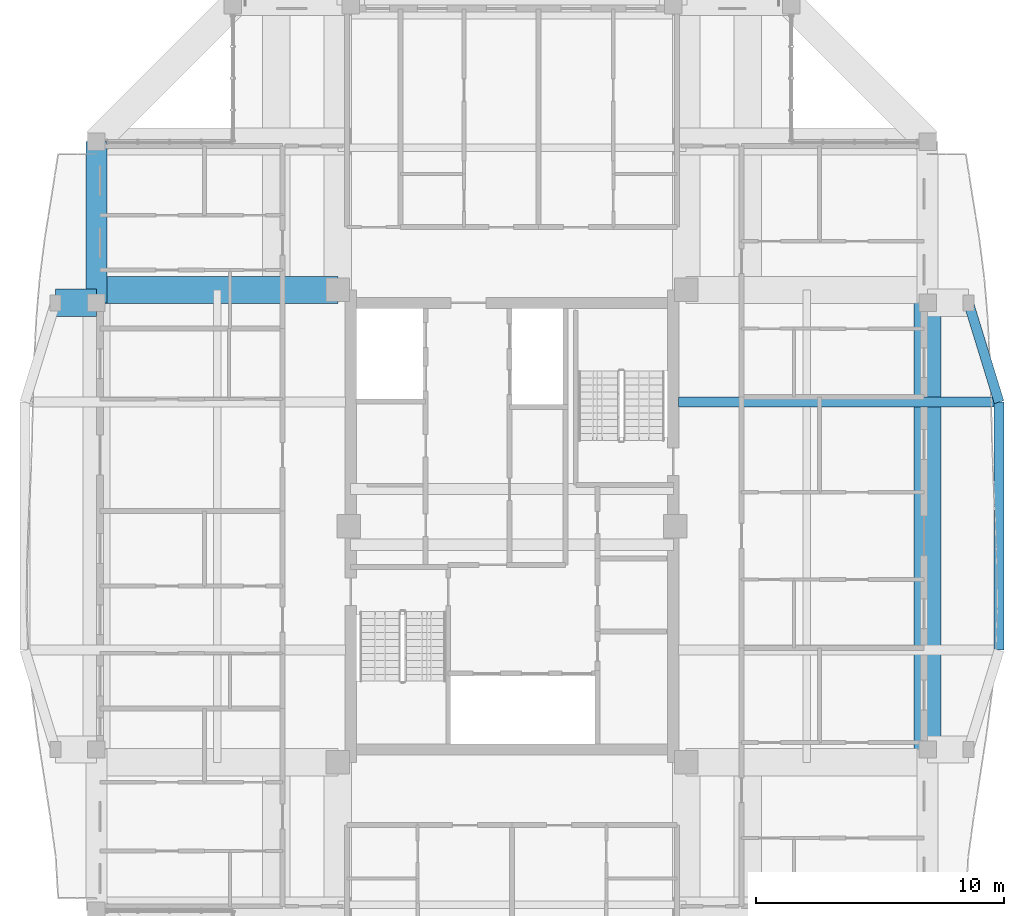
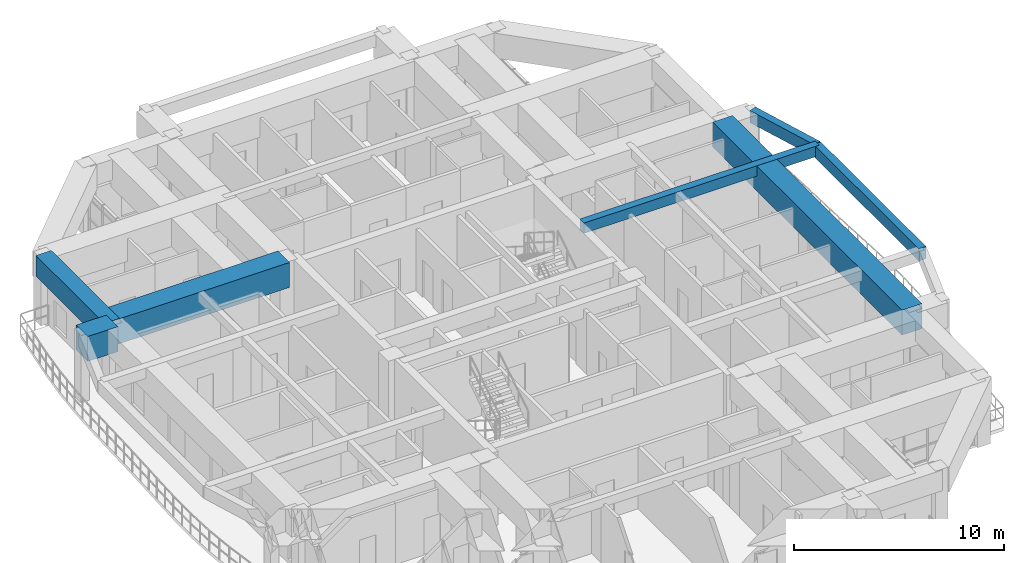
# One storey, part 7 of 27: 7 beams.
"""IFC4 building model written with IfcOpenShell, lengths in metres."""

from ifc_helpers import new_model, si_unit, direction, frame, origin, origin_2d, place, context, subcontext, project, spatial, rectangle, extrude, source, transform, mapped, material, material_profile, profile_set, type_object, element, save


model = new_model("IFC4")

# Units and contexts
model_context = context("Model", 3, precision=1e-05, world=origin(), true_north=direction((0.0, 1.0)))
body_context = subcontext(model_context, "Body", "Model", "MODEL_VIEW")
ifc_project = project(units=[si_unit("LENGTHUNIT", "METRE"), si_unit("AREAUNIT", "SQUARE_METRE"), si_unit("VOLUMEUNIT", "CUBIC_METRE"), si_unit("PLANEANGLEUNIT", "RADIAN"), si_unit("MASSUNIT", "GRAM", prefix="KILO")], contexts=[model_context])

# Site, building, storey
site_placement = place(None, origin())
site = spatial("IfcSite", under=ifc_project, at=site_placement, CompositionType="ELEMENT")
building_placement = place(site_placement, origin())
building = spatial("IfcBuilding", under=site, at=building_placement, Name="Saelheon Loggia Tower", CompositionType="ELEMENT")
storey_placement = place(building_placement, frame((0.0, 0.0, 236.10009765625)))
storey = spatial("IfcBuildingStorey", under=building, at=storey_placement, Name="L73", CompositionType="ELEMENT", Elevation=236.10009765625)

# Beams
ifc_material_1 = material(Name="Concrete C50/60", Category="concrete")
ifc_material_profile_1 = material_profile(ifc_material_1, rectangle(XDim=1.10009765625, YDim=1.449951171875, at=origin_2d()), Name="RC-1100x1450")
ifc_profile_set_1 = profile_set([ifc_material_profile_1], Name="Concrete C50/60")
beam_type_1 = type_object("IfcBeamType", Name="Beam_PerimTransfer_RC1100x1450", PredefinedType="BEAM", material=ifc_profile_set_1)
shared_shape_1 = source(origin(), body_context, "Body", "SweptSolid", [
    extrude(rectangle(XDim=1.10009765625, YDim=1.449951171875, at=origin_2d()), origin(), (0.0, 0.0, 1.0), 18.0),
])
beam_1_placement = place(storey_placement, frame((54.75, 18.0, 3.1748046875), z_axis=(0.0, 1.0, 0.0), x_axis=(-1.0, 0.0, 0.0)))
element("IfcBeam", 1, at=beam_1_placement, inside=storey, type_object=beam_type_1, Name="L73 Perimeter Frame Girder 06", PredefinedType="BEAM", context=body_context, shape_type="MappedRepresentation", body=[
    mapped(shared_shape_1, transform((0.0, 0.0, 0.0), scale=1.0)),
])
shared_shape_2 = source(origin(), body_context, "Body", "SweptSolid", [
    extrude(rectangle(XDim=1.10009765625, YDim=1.449951171875, at=origin_2d()), origin(), (0.0, 0.0, 1.0), 1.64990234375),
])
beam_2_placement = place(storey_placement, frame((21.25, 36.0, 3.1748046875), z_axis=(-1.0, 0.0, 0.0), x_axis=(0.0, -1.0, 0.0)))
element("IfcBeam", 2, at=beam_2_placement, inside=storey, type_object=beam_type_1, Name="L73 Loggia Frame Tie Beam LP-W2", PredefinedType="BEAM", context=body_context, shape_type="MappedRepresentation", body=[
    mapped(shared_shape_2, transform((0.0, 0.0, 0.0), scale=1.0)),
])
ifc_material_2 = material(Name="Precast Concrete C45/55", Category="concrete")
ifc_material_profile_2 = material_profile(ifc_material_2, rectangle(XDim=0.39990234375, YDim=0.699951171875, at=origin_2d()), Name="RC-400x700")
ifc_profile_set_2 = profile_set([ifc_material_profile_2], Name="Precast Concrete C45/55")
beam_type_2 = type_object("IfcBeamType", Name="Beam_LoggiaSpandrel_RC400x700", PredefinedType="SPANDREL", material=ifc_profile_set_2)
shared_shape_3 = source(origin(), body_context, "Body", "SweptSolid", [
    extrude(rectangle(XDim=0.39990234375, YDim=0.699951171875, at=origin_2d()), origin(), (0.0, 0.0, 1.0), 4.184814453125),
])
beam_3_placement = place(storey_placement, frame((57.6298828125, 32.0, 3.5498046875), z_axis=(-0.293913664135, 0.955831971653, 0.0), x_axis=(-0.955831971653, -0.293913664135, 0.0)))
element("IfcBeam", 3, at=beam_3_placement, inside=storey, type_object=beam_type_2, Name="L73 Curved Loggia Spandrel E 3", PredefinedType="SPANDREL", context=body_context, shape_type="MappedRepresentation", body=[
    mapped(shared_shape_3, transform((0.0, 0.0, 0.0), scale=1.0)),
])
shared_shape_4 = source(origin(), body_context, "Body", "SweptSolid", [
    extrude(rectangle(XDim=0.39990234375, YDim=0.699951171875, at=origin_2d()), origin(), (0.0, 0.0, 1.0), 10.0),
])
beam_4_placement = place(storey_placement, frame((57.6298828125, 22.0, 3.5498046875), z_axis=(0.0, 1.0, 0.0), x_axis=(-1.0, 0.0, 0.0)))
element("IfcBeam", 4, at=beam_4_placement, inside=storey, type_object=beam_type_2, Name="L73 Curved Loggia Spandrel E 2", PredefinedType="SPANDREL", context=body_context, shape_type="MappedRepresentation", body=[
    mapped(shared_shape_4, transform((0.0, 0.0, 0.0), scale=1.0)),
])
ifc_material_profile_3 = material_profile(ifc_material_1, rectangle(XDim=0.85009765625, YDim=1.199951171875, at=origin_2d()), Name="RC-850x1200")
ifc_profile_set_3 = profile_set([ifc_material_profile_3], Name="Concrete C50/60")
beam_type_3 = type_object("IfcBeamType", Name="Beam_CornerShoulder_RC850x1200", PredefinedType="BEAM", material=ifc_profile_set_3)
shared_shape_5 = source(origin(), body_context, "Body", "SweptSolid", [
    extrude(rectangle(XDim=0.85009765625, YDim=1.199951171875, at=origin_2d()), origin(), (0.0, 0.0, 1.0), 6.5),
])
beam_5_placement = place(storey_placement, frame((21.25, 42.5, 3.2998046875), z_axis=(0.0, -1.0, 0.0), x_axis=(1.0, 0.0, 0.0)))
element("IfcBeam", 5, at=beam_5_placement, inside=storey, type_object=beam_type_3, Name="L73 Corner Shoulder Beam 13", PredefinedType="BEAM", context=body_context, shape_type="MappedRepresentation", body=[
    mapped(shared_shape_5, transform((0.0, 0.0, 0.0), scale=1.0)),
])
ifc_material_profile_4 = material_profile(ifc_material_2, rectangle(XDim=0.39990234375, YDim=0.60009765625, at=origin_2d()), Name="RC-400x600")
ifc_profile_set_4 = profile_set([ifc_material_profile_4], Name="Precast Concrete C45/55")
beam_type_4 = type_object("IfcBeamType", Name="Beam_LoggiaTie_RC400x600", PredefinedType="BEAM", material=ifc_profile_set_4)
shared_shape_6 = source(origin(), body_context, "Body", "SweptSolid", [
    extrude(rectangle(XDim=0.39990234375, YDim=0.60009765625, at=origin_2d()), origin(), (0.0, 0.0, 1.0), 12.909912109375),
])
beam_6_placement = place(storey_placement, frame((44.719970703125, 32.0, 3.599853515625), z_axis=(1.0, 0.0, 0.0), x_axis=(0.0, 1.0, 0.0)))
element("IfcBeam", 6, at=beam_6_placement, inside=storey, type_object=beam_type_4, Name="L73 Curved Facade Outrigger Beam E 2", PredefinedType="BEAM", context=body_context, shape_type="MappedRepresentation", body=[
    mapped(shared_shape_6, transform((0.0, 0.0, 0.0), scale=1.0)),
])
ifc_material_profile_5 = material_profile(ifc_material_1, rectangle(XDim=1.10009765625, YDim=1.449951171875, at=origin_2d()), Name="RC-1100x1450")
ifc_profile_set_5 = profile_set([ifc_material_profile_5], Name="Concrete C50/60")
beam_type_5 = type_object("IfcBeamType", Name="Beam_Transfer_RC1100x1450", PredefinedType="BEAM", material=ifc_profile_set_5)
shared_shape_7 = source(origin(), body_context, "Body", "SweptSolid", [
    extrude(rectangle(XDim=1.10009765625, YDim=1.449951171875, at=origin_2d()), origin(), (0.0, 0.0, 1.0), 9.72998046875),
])
beam_7_placement = place(storey_placement, frame((30.97998046875, 36.52001953125, 3.1748046875), z_axis=(-1.0, 0.0, 0.0), x_axis=(0.0, -1.0, 0.0)))
element("IfcBeam", 7, at=beam_7_placement, inside=storey, type_object=beam_type_5, Name="L73 Radial Floor Girder RAD-NW-W", PredefinedType="BEAM", context=body_context, shape_type="MappedRepresentation", body=[
    mapped(shared_shape_7, transform((0.0, 0.0, 0.0), scale=1.0)),
])

save(model, "model.ifc")
